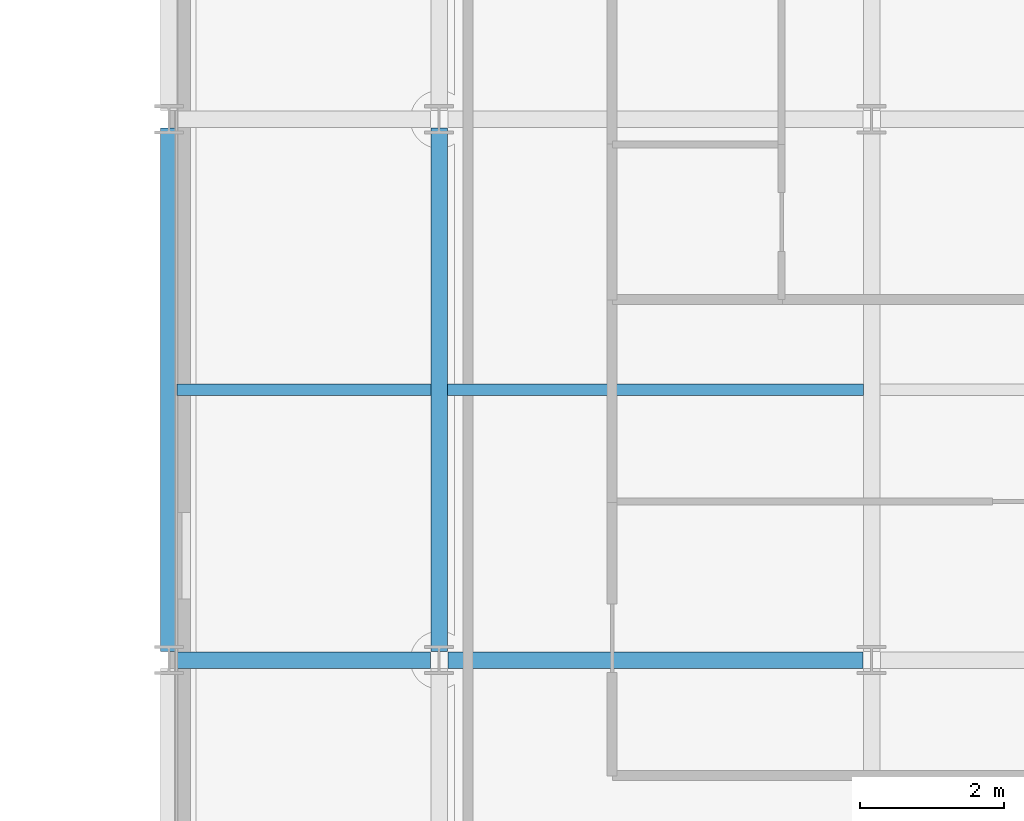
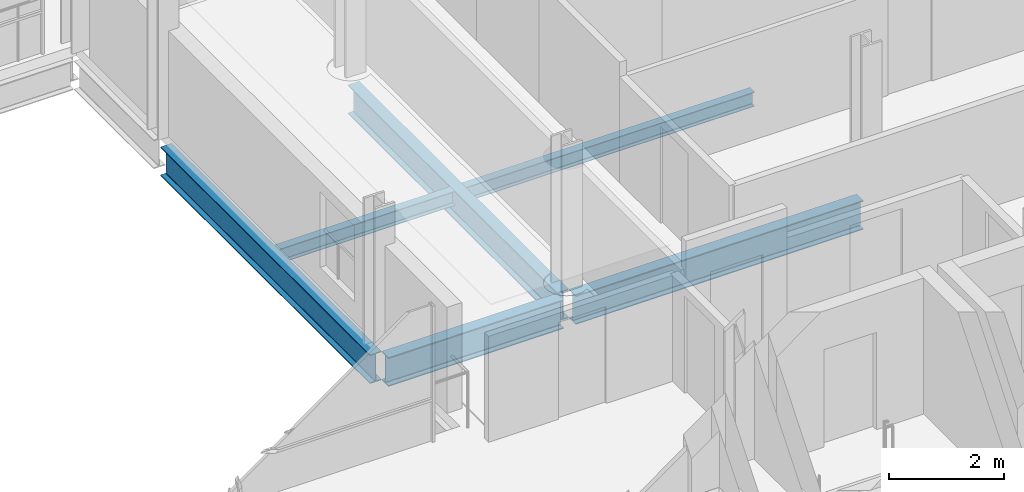
# One storey, part 18 of 41: 6 beams.
"""IFC4 building model written with IfcOpenShell, lengths in metres."""

from ifc_helpers import new_model, si_unit, direction, frame, origin, origin_2d, place, context, subcontext, project, spatial, i_section, extrude, material, material_profile, profile_set, type_object, element, save


model = new_model("IFC4")

# Units and contexts
model_context = context("Model", 3, precision=1e-05, world=origin(), true_north=direction((0.0, 1.0)))
body_context = subcontext(model_context, "Body", "Model", "MODEL_VIEW")
ifc_project = project(units=[si_unit("LENGTHUNIT", "METRE"), si_unit("AREAUNIT", "SQUARE_METRE"), si_unit("VOLUMEUNIT", "CUBIC_METRE"), si_unit("PLANEANGLEUNIT", "RADIAN"), si_unit("MASSUNIT", "GRAM", prefix="KILO")], contexts=[model_context])

# Site, building, storey
site_placement = place(None, origin())
site = spatial("IfcSite", under=ifc_project, at=site_placement, CompositionType="ELEMENT")
building_placement = place(site_placement, origin())
building = spatial("IfcBuilding", under=site, at=building_placement, Name="Brevholm Reach", CompositionType="ELEMENT")
storey_placement = place(building_placement, frame((0.0, 0.0, 151.10009765625)))
storey = spatial("IfcBuildingStorey", under=building, at=storey_placement, Name="L45", CompositionType="ELEMENT", Elevation=151.10009765625)

# Beams
ifc_material_1 = material(Name="Structural Steel S355J2", Category="steel")
ifc_material_profile_1 = material_profile(ifc_material_1, i_section(OverallWidth=0.1650390625, OverallDepth=0.303466796875, WebThickness=0.006103515625, FlangeThickness=0.01025390625, FilletRadius=0.0087890625, at=origin_2d()), Name="UKB 305x165x40")
ifc_profile_set_1 = profile_set([ifc_material_profile_1], Name="Structural Steel S355J2")
beam_type_1 = type_object("IfcBeamType", Name="BM-B305", PredefinedType="BEAM", material=ifc_profile_set_1)
beam_1_placement = place(storey_placement, frame((38.364501953125, 19.75, -0.371826171875), z_axis=(1.0, 0.0, 0.0), x_axis=(0.0, 1.0, 0.0)))
element("IfcBeam", 1, at=beam_1_placement, inside=storey, type_object=beam_type_1, Name="L45 Composite Secondary Floor Beam", PredefinedType="BEAM", context=body_context, shape_type="SweptSolid", body=[
    extrude(i_section(OverallWidth=0.1650390625, OverallDepth=0.303466796875, WebThickness=0.006103515625, FlangeThickness=0.01025390625, FilletRadius=0.0087890625, at=origin_2d()), origin(), (0.0, 0.0, 1.0), 3.52099609375),
])
beam_2_placement = place(storey_placement, frame((42.114501953125, 19.75, -0.371826171875), z_axis=(1.0, 0.0, 0.0), x_axis=(0.0, 1.0, 0.0)))
element("IfcBeam", 2, at=beam_2_placement, inside=storey, type_object=beam_type_1, Name="L45 Composite Secondary Floor Beam", PredefinedType="BEAM", context=body_context, shape_type="SweptSolid", body=[
    extrude(i_section(OverallWidth=0.1650390625, OverallDepth=0.303466796875, WebThickness=0.006103515625, FlangeThickness=0.01025390625, FilletRadius=0.0087890625, at=origin_2d()), origin(), (0.0, 0.0, 1.0), 5.77099609375),
])
ifc_material_2 = material(Name="Structural Steel S355J2", Category="steel")
ifc_material_profile_2 = material_profile(ifc_material_2, i_section(OverallWidth=0.22900390625, OverallDepth=0.6123046875, WebThickness=0.011962890625, FlangeThickness=0.01953125, FilletRadius=0.0126953125, at=origin_2d()), Name="UKB 610x229x125")
ifc_profile_set_2 = profile_set([ifc_material_profile_2], Name="Structural Steel S355J2")
beam_type_2 = type_object("IfcBeamType", Name="BM-SP610", PredefinedType="SPANDREL", material=ifc_profile_set_2)
beam_3_placement = place(storey_placement, frame((38.3701171875, 16.0, -0.526123046875), z_axis=(1.0, 0.0, 0.0), x_axis=(0.0, 1.0, 0.0)))
element("IfcBeam", 3, at=beam_3_placement, inside=storey, type_object=beam_type_2, Name="L45 SP-01 Framing Beam", PredefinedType="SPANDREL", context=body_context, shape_type="SweptSolid", body=[
    extrude(i_section(OverallWidth=0.22900390625, OverallDepth=0.6123046875, WebThickness=0.011962890625, FlangeThickness=0.01953125, FilletRadius=0.0126953125, at=origin_2d()), origin(), (0.0, 0.0, 1.0), 3.509765625),
])
beam_4_placement = place(storey_placement, frame((42.1201171875, 16.0, -0.526123046875), z_axis=(1.0, 0.0, 0.0), x_axis=(0.0, 1.0, 0.0)))
element("IfcBeam", 4, at=beam_4_placement, inside=storey, type_object=beam_type_2, Name="L45 SP-01 Framing Beam", PredefinedType="SPANDREL", context=body_context, shape_type="SweptSolid", body=[
    extrude(i_section(OverallWidth=0.22900390625, OverallDepth=0.6123046875, WebThickness=0.011962890625, FlangeThickness=0.01953125, FilletRadius=0.0126953125, at=origin_2d()), origin(), (0.0, 0.0, 1.0), 5.759765625),
])
for number, where, z_axis, x_axis, name in (
    (5, (38.25, 16.1201171875, -0.526123046875), (0.0, 1.0, 0.0), (-1.0, 0.0, 0.0), "L45 SP-01 Framing Beam"),
    (6, (42.0, 16.1201171875, -0.526123046875), (0.0, 1.0, 0.0), (-1.0, 0.0, 0.0), "L45 SP-01 Framing Beam"),
):
    element("IfcBeam", number, at=place(storey_placement, frame(where, z_axis=z_axis, x_axis=x_axis)), inside=storey, type_object=beam_type_2, Name=name, PredefinedType="SPANDREL", context=body_context, shape_type="SweptSolid", body=[
        extrude(i_section(OverallWidth=0.22900390625, OverallDepth=0.6123046875, WebThickness=0.011962890625, FlangeThickness=0.01953125, FilletRadius=0.0126953125, at=origin_2d()), origin(), (0.0, 0.0, 1.0), 7.259765625),
    ])

save(model, "model.ifc")
